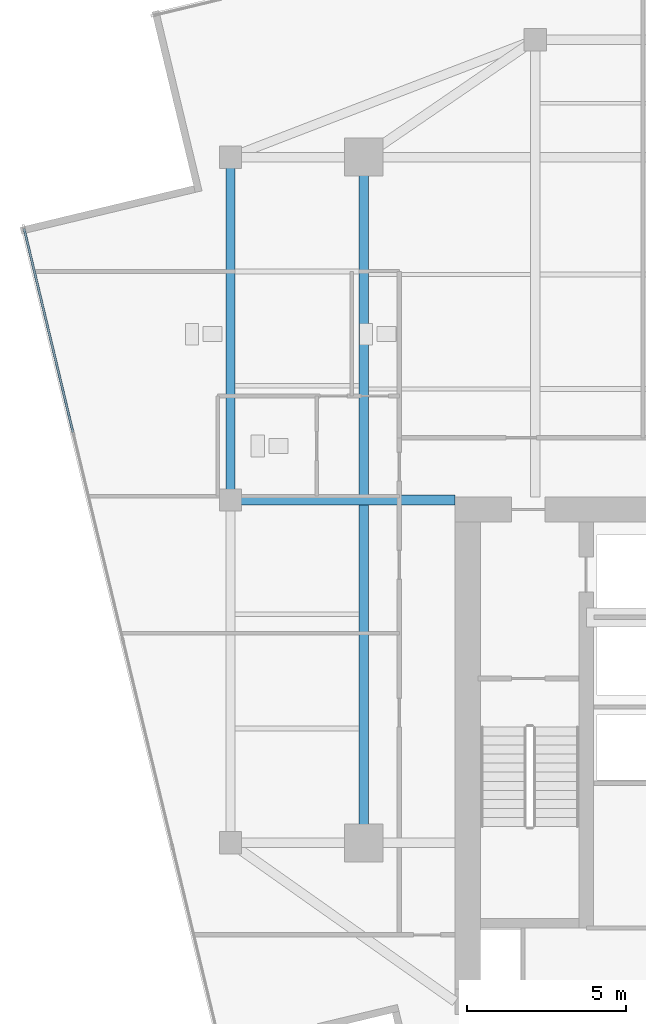
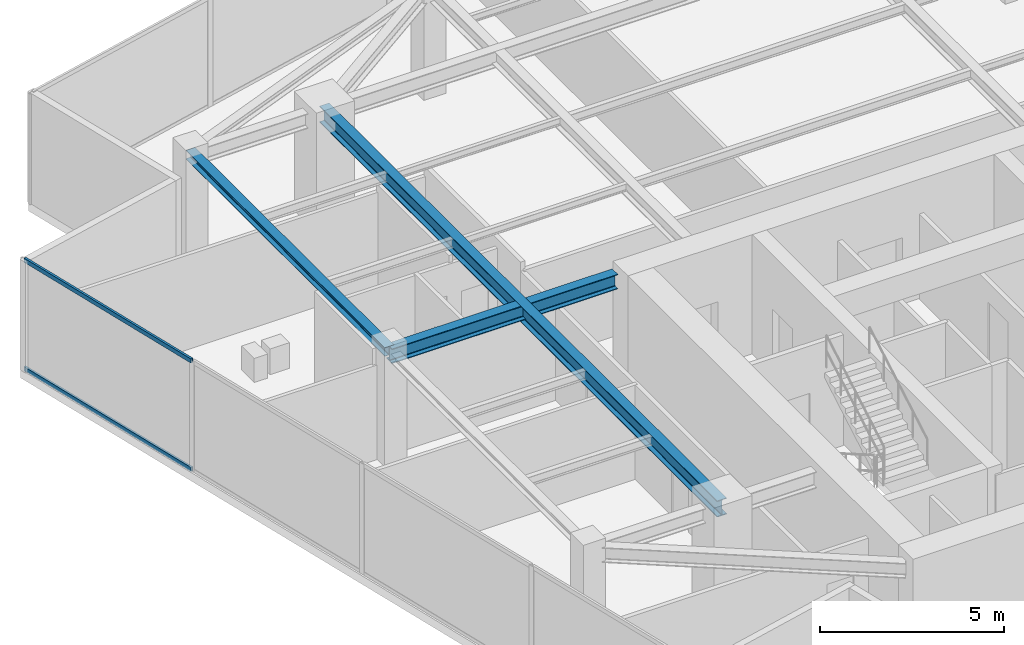
# One storey, part 6 of 22: 3 beams, 2 members, 1 element without a shape of its own.
"""IFC4 building model written with IfcOpenShell, lengths in metres."""

from ifc_helpers import new_model, si_unit, direction, frame, origin, origin_2d, place, context, subcontext, project, spatial, hollow_rectangle, i_section, extrude, source, transform, mapped, material, material_profile, profile_set, type_object, type_shapes, element, aggregate, save


model = new_model("IFC4")

# Units and contexts
model_context = context("Model", 3, precision=1e-05, world=origin(), true_north=direction((0.0, 1.0)))
body_context = subcontext(model_context, "Body", "Model", "MODEL_VIEW")
ifc_project = project(units=[si_unit("LENGTHUNIT", "METRE"), si_unit("AREAUNIT", "SQUARE_METRE"), si_unit("VOLUMEUNIT", "CUBIC_METRE"), si_unit("PLANEANGLEUNIT", "RADIAN"), si_unit("MASSUNIT", "GRAM", prefix="KILO")], contexts=[model_context])

# Site, building, storey
site_placement = place(None, origin())
site = spatial("IfcSite", under=ifc_project, at=site_placement, CompositionType="ELEMENT")
building_placement = place(site_placement, origin())
building = spatial("IfcBuilding", under=site, at=building_placement, Name="Krantzveldt Concourse Tower", CompositionType="ELEMENT")
storey_placement = place(building_placement, frame((0.0, 0.0, 355.35009765625)))
storey = spatial("IfcBuildingStorey", under=building, at=storey_placement, Name="L87", CompositionType="ELEMENT", Elevation=355.35009765625)

# Beams
ifc_material_1 = material(Name="Steel S355JR", Category="steel")
ifc_material_profile_1 = material_profile(ifc_material_1, i_section(OverallWidth=0.300048828125, OverallDepth=0.489990234375, WebThickness=0.011962890625, FlangeThickness=0.02294921875, FilletRadius=0.027099609375, at=origin_2d()), Name="Steel S355JR", Category="steel")
ifc_profile_set_1 = profile_set([ifc_material_profile_1], Name="Steel S355JR - HEA 500")
beam_type_1 = type_object("IfcBeamType", Name="BM-B-HEA500", PredefinedType="BEAM", material=ifc_profile_set_1)
shared_shape_1 = source(origin(), body_context, "Body", "SweptSolid", [
    extrude(i_section(OverallWidth=0.300048828125, OverallDepth=0.489990234375, WebThickness=0.011962890625, FlangeThickness=0.02294921875, FilletRadius=0.027099609375, at=origin_2d()), origin(), (0.0, 0.0, 1.0), 7.080078125),
])
type_shapes(beam_type_1, [shared_shape_1])
beam_1_placement = place(storey_placement, frame((21.0, 26.699951171875, 3.4248046875), z_axis=(1.0, 0.0, 0.0), x_axis=(0.0, 1.0, 0.0)))
element("IfcBeam", 1, at=beam_1_placement, inside=storey, type_object=beam_type_1, Name="L87 Tower Girder BG-CW2", PredefinedType="BEAM", context=body_context, shape_type="MappedRepresentation", body=[
    mapped(shared_shape_1, transform((0.0, 0.0, 0.0), x_axis=(1.0, 0.0, 0.0), y_axis=(0.0, 1.0, 0.0), z_axis=(0.0, 0.0, 1.0), scale=1.0)),
])
ifc_material_profile_2 = material_profile(ifc_material_1, i_section(OverallWidth=0.300048828125, OverallDepth=0.5400390625, WebThickness=0.012451171875, FlangeThickness=0.02392578125, FilletRadius=0.027099609375, at=origin_2d()), Name="Steel S355JR", Category="steel")
ifc_profile_set_2 = profile_set([ifc_material_profile_2], Name="Steel S355JR - HEA 550")
beam_type_2 = type_object("IfcBeamType", Name="BM-B-HEA550", PredefinedType="BEAM", material=ifc_profile_set_2)
shared_shape_2 = source(origin(), body_context, "Body", "SweptSolid", [
    extrude(i_section(OverallWidth=0.300048828125, OverallDepth=0.5400390625, WebThickness=0.012451171875, FlangeThickness=0.02392578125, FilletRadius=0.027099609375, at=origin_2d()), origin(), (0.0, 0.0, 1.0), 21.60009765625),
])
type_shapes(beam_type_2, [shared_shape_2])
beam_2_placement = place(storey_placement, frame((25.199951171875, 15.89990234375, 3.39990234375), z_axis=(0.0, 1.0, 0.0), x_axis=(-1.0, 0.0, 0.0)))
element("IfcBeam", 2, at=beam_2_placement, inside=storey, type_object=beam_type_2, Name="L87 Tower Girder BG-MW", PredefinedType="BEAM", context=body_context, shape_type="MappedRepresentation", body=[
    mapped(shared_shape_2, transform((0.0, 0.0, 0.0), x_axis=(1.0, 0.0, 0.0), y_axis=(0.0, 1.0, 0.0), z_axis=(0.0, 0.0, 1.0), scale=1.0)),
])
ifc_material_profile_3 = material_profile(ifc_material_1, i_section(OverallWidth=0.2900390625, OverallDepth=0.2900390625, WebThickness=0.008544921875, FlangeThickness=0.013916015625, FilletRadius=0.027099609375, at=origin_2d()), Name="Steel S355JR", Category="steel")
ifc_profile_set_3 = profile_set([ifc_material_profile_3], Name="Steel S355JR - HEA 300")
beam_type_3 = type_object("IfcBeamType", Name="BM-SP-HEA300", PredefinedType="SPANDREL", material=ifc_profile_set_3)
shared_shape_3 = source(origin(), body_context, "Body", "SweptSolid", [
    extrude(i_section(OverallWidth=0.2900390625, OverallDepth=0.2900390625, WebThickness=0.008544921875, FlangeThickness=0.013916015625, FilletRadius=0.027099609375, at=origin_2d()), origin(), (0.0, 0.0, 1.0), 10.800048828125),
])
type_shapes(beam_type_3, [shared_shape_3])
beam_3_placement = place(storey_placement, frame((21.0, 26.699951171875, 3.52490234375), z_axis=(0.0, 1.0, 0.0), x_axis=(-1.0, 0.0, 0.0)))
element("IfcBeam", 3, at=beam_3_placement, inside=storey, type_object=beam_type_3, Name="L87 Tower Girder SP-R02", PredefinedType="SPANDREL", context=body_context, shape_type="MappedRepresentation", body=[
    mapped(shared_shape_3, transform((0.0, 0.0, 0.0), x_axis=(1.0, 0.0, 0.0), y_axis=(0.0, 1.0, 0.0), z_axis=(0.0, 0.0, 1.0), scale=1.0)),
])

# Curtain wall, members
ifc_material_2 = material(Name="Anodised aluminium 6063-T6", Category="aluminium")
curtain_wall_type = type_object("IfcCurtainWallType", Name="CW4", PredefinedType="USERDEFINED", material=ifc_material_2)
curtain_wall_placement = place(storey_placement, origin())
curtain_wall = element("IfcCurtainWall", 4, at=curtain_wall_placement, inside=storey, type_object=curtain_wall_type, Name="CW-L87-F04", ObjectType="UNITISED CURTAIN WALL", PredefinedType="USERDEFINED")
ifc_material_profile_4 = material_profile(ifc_material_2, hollow_rectangle(XDim=0.070068359375, YDim=0.139892578125, WallThickness=0.0048828125, at=origin_2d()), Name="Anodised aluminium 6063-T6", Category="aluminium")
ifc_profile_set_4 = profile_set([ifc_material_profile_4], Name="Anodised aluminium 6063-T6 - ALU-TRAN 140x70x5")
member_type = type_object("IfcMemberType", Name="CW-TRN-150", PredefinedType="USERDEFINED", material=ifc_profile_set_4)
shared_shape_4 = source(origin(), body_context, "Body", "SweptSolid", [
    extrude(hollow_rectangle(XDim=0.070068359375, YDim=0.139892578125, WallThickness=0.0048828125, at=origin_2d()), origin(), (0.0, 0.0, 1.0), 6.594970703125),
])
type_shapes(member_type, [shared_shape_4])
member_1_placement = place(storey_placement, frame((14.500732421875, 35.247314453125, 0.034912109375), z_axis=(0.233440156887, -0.972371170466, 0.0), x_axis=(0.972371170466, 0.233440156887, 0.0)))
member_1 = element("IfcMember", 5, at=member_1_placement, type_object=member_type, Name="CW-Z56 transom 1.1", ObjectType="TRANSOM", PredefinedType="USERDEFINED", context=body_context, shape_type="MappedRepresentation", body=[
    mapped(shared_shape_4, transform((0.0, 0.0, 0.0), x_axis=(1.0, 0.0, 0.0), y_axis=(0.0, 1.0, 0.0), z_axis=(0.0, 0.0, 1.0), scale=1.0)),
])
member_2_placement = place(storey_placement, frame((14.500732421875, 35.247314453125, 3.635009765625), z_axis=(0.233440156887, -0.972371170466, 0.0), x_axis=(0.972371170466, 0.233440156887, 0.0)))
member_2 = element("IfcMember", 6, at=member_2_placement, type_object=member_type, Name="CW-Z56 transom 1.2", ObjectType="TRANSOM", PredefinedType="USERDEFINED", context=body_context, shape_type="MappedRepresentation", body=[
    mapped(shared_shape_4, transform((0.0, 0.0, 0.0), x_axis=(1.0, 0.0, 0.0), y_axis=(0.0, 1.0, 0.0), z_axis=(0.0, 0.0, 1.0), scale=1.0)),
])
aggregate(curtain_wall, [member_1, member_2])

save(model, "model.ifc")
